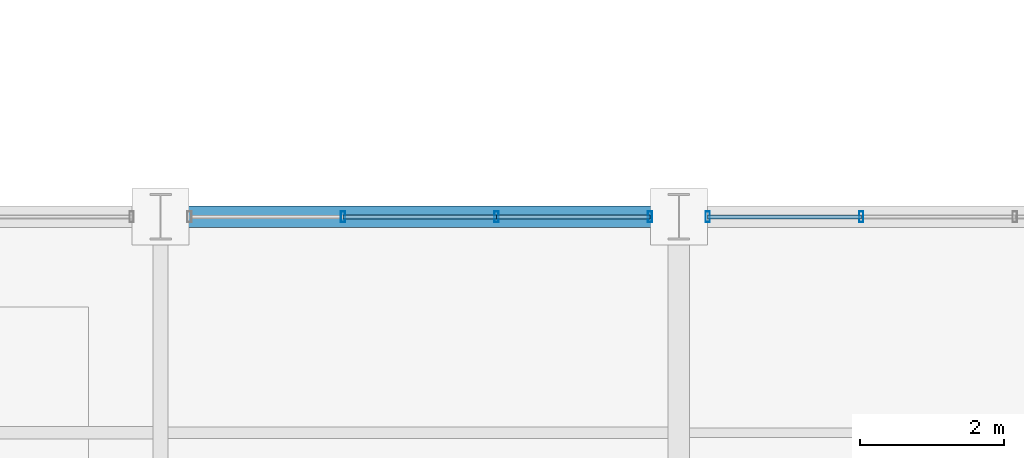
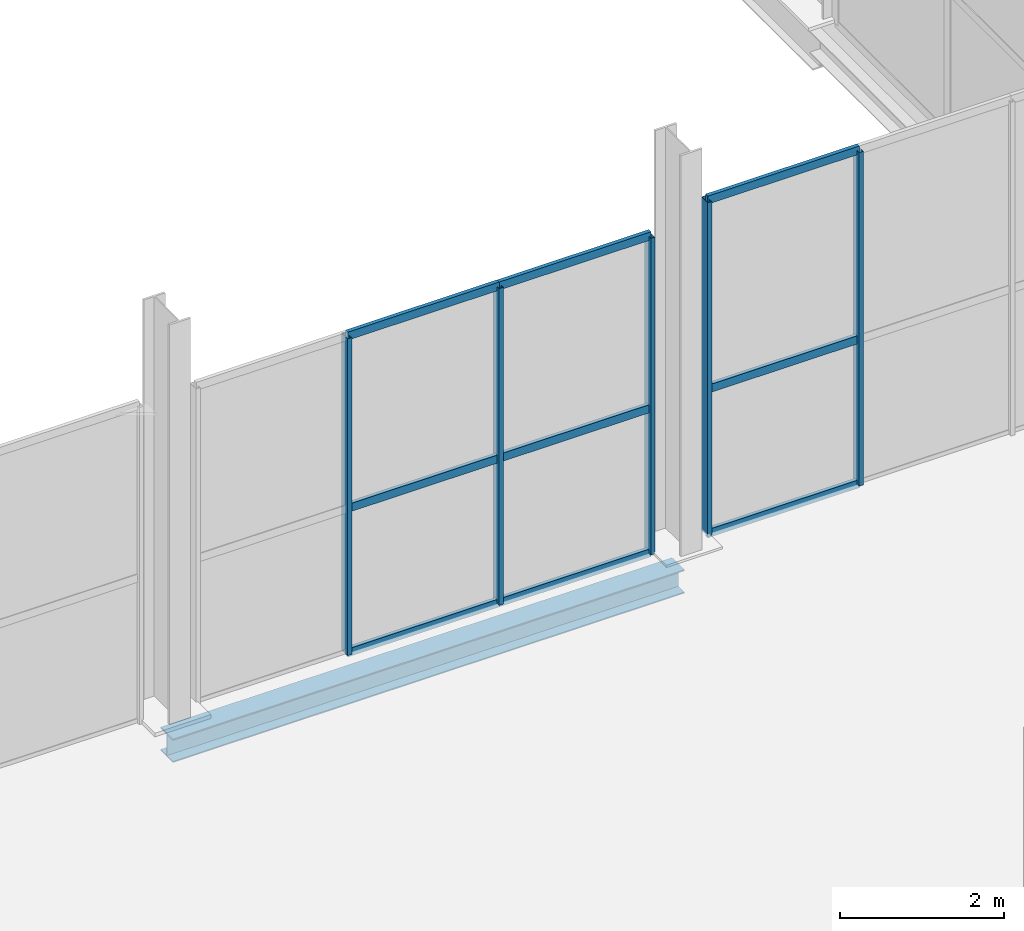
# One storey, part 88 of 144: 14 members, 1 beam, 2 elements without a shape of their own.
"""IFC4 building model written with IfcOpenShell, lengths in metres."""

from ifc_helpers import new_model, si_unit, direction, frame, origin, origin_2d, place, context, subcontext, project, spatial, hollow_rectangle, i_section, extrude, material, layer, layer_set, material_profile, profile_set, type_object, element, aggregate, save


model = new_model("IFC4")

# Units and contexts
model_context = context("Model", 3, precision=1e-05, world=origin(), true_north=direction((0.0, 1.0)))
body_context = subcontext(model_context, "Body", "Model", "MODEL_VIEW")
ifc_project = project(units=[si_unit("LENGTHUNIT", "METRE"), si_unit("AREAUNIT", "SQUARE_METRE"), si_unit("VOLUMEUNIT", "CUBIC_METRE"), si_unit("PLANEANGLEUNIT", "RADIAN"), si_unit("MASSUNIT", "GRAM", prefix="KILO")], contexts=[model_context])

# Site, building, storey
site_placement = place(None, origin())
site = spatial("IfcSite", under=ifc_project, at=site_placement, CompositionType="ELEMENT")
building_placement = place(site_placement, origin())
building = spatial("IfcBuilding", under=site, at=building_placement, Name="Sundgate Opera House", CompositionType="ELEMENT")
storey_placement = place(building_placement, origin())
storey = spatial("IfcBuildingStorey", under=building, at=storey_placement, Name="L00", CompositionType="ELEMENT", Elevation=0.0)

# Beam
ifc_material_1 = material(Name="Steel S355J2", Category="steel")
ifc_material_profile_1 = material_profile(ifc_material_1, i_section(OverallWidth=0.300048828125, OverallDepth=0.35009765625, WebThickness=0.010009765625, FlangeThickness=0.017578125, at=origin_2d()), Name="HEA 360")
ifc_profile_set_1 = profile_set([ifc_material_profile_1], Name="Steel S355J2")
beam_type = type_object("IfcBeamType", Name="BM-GR-HEA360", PredefinedType="BEAM", material=ifc_profile_set_1)
beam_placement = place(storey_placement, frame((124.199951171875, 42.0, -0.4951171875), z_axis=(1.0, 0.0, 0.0), x_axis=(0.0, 1.0, 0.0)))
element("IfcBeam", 1, at=beam_placement, inside=storey, type_object=beam_type, Name="L00 Primary E-W Girder B0422", PredefinedType="BEAM", context=body_context, shape_type="SweptSolid", body=[
    extrude(i_section(OverallWidth=0.300048828125, OverallDepth=0.35009765625, WebThickness=0.010009765625, FlangeThickness=0.017578125, at=origin_2d()), origin(), (0.0, 0.0, 1.0), 7.199951171875),
])

# Curtain wall, members
ifc_material_2 = material(Name="Anodized aluminium and low-iron glass", Category="aluminium")
ifc_layer = layer(ifc_material_2, 0.159912109375)
ifc_layer_set = layer_set([ifc_layer], Name="Anodized aluminium and low-iron glass")
curtain_wall_type = type_object("IfcCurtainWallType", Name="CW-STUDIO-DARK", PredefinedType="NOTDEFINED", material=ifc_layer_set)
curtain_wall_1_placement = place(storey_placement, origin())
curtain_wall_1 = element("IfcCurtainWall", 2, at=curtain_wall_1_placement, inside=storey, type_object=curtain_wall_type, Name="L00 Curtain Wall CW036", PredefinedType="NOTDEFINED")
ifc_material_3 = material(Name="Anodized aluminium EN AW-6063", Category="aluminium")
ifc_material_profile_2 = material_profile(ifc_material_3, hollow_rectangle(XDim=0.06005859375, YDim=0.14990234375, WallThickness=0.00390625, at=origin_2d()), Name="CWM 150x60x4")
ifc_profile_set_2 = profile_set([ifc_material_profile_2], Name="Anodized aluminium EN AW-6063")
member_type_1 = type_object("IfcMemberType", Name="CWM-ALU-150x60", PredefinedType="MULLION", material=ifc_profile_set_2)
member_1_placement = place(storey_placement, frame((126.7333984375, 42.0, 0.0), z_axis=(0.0, 0.0, 1.0), x_axis=(1.0, 0.0, 0.0)))
member_1 = element("IfcMember", 3, at=member_1_placement, type_object=member_type_1, Name="CW036 Mullion 2", PredefinedType="MULLION", context=body_context, shape_type="SweptSolid", body=[
    extrude(hollow_rectangle(XDim=0.06005859375, YDim=0.14990234375, WallThickness=0.00390625, at=origin_2d()), origin(), (0.0, 0.0, 1.0), 4.715087890625),
])
member_2_placement = place(storey_placement, frame((128.86669921875, 42.0, 0.0), z_axis=(0.0, 0.0, 1.0), x_axis=(1.0, 0.0, 0.0)))
member_2 = element("IfcMember", 4, at=member_2_placement, type_object=member_type_1, Name="CW036 Mullion 3", PredefinedType="MULLION", context=body_context, shape_type="SweptSolid", body=[
    extrude(hollow_rectangle(XDim=0.06005859375, YDim=0.14990234375, WallThickness=0.00390625, at=origin_2d()), origin(), (0.0, 0.0, 1.0), 4.715087890625),
])
member_3_placement = place(storey_placement, frame((131.0, 42.0, 0.0), z_axis=(0.0, 0.0, 1.0), x_axis=(1.0, 0.0, 0.0)))
member_3 = element("IfcMember", 5, at=member_3_placement, type_object=member_type_1, Name="CW036 Mullion 4", PredefinedType="MULLION", context=body_context, shape_type="SweptSolid", body=[
    extrude(hollow_rectangle(XDim=0.06005859375, YDim=0.14990234375, WallThickness=0.00390625, at=origin_2d()), origin(), (0.0, 0.0, 1.0), 4.715087890625),
])

curtain_wall_2_placement = place(storey_placement, origin())
curtain_wall_2 = element("IfcCurtainWall", 6, at=curtain_wall_2_placement, inside=storey, type_object=curtain_wall_type, Name="L00 Curtain Wall CW038", PredefinedType="NOTDEFINED")
member_4_placement = place(storey_placement, frame((131.800048828125, 42.0, 0.0), z_axis=(0.0, 0.0, 1.0), x_axis=(1.0, 0.0, 0.0)))
member_4 = element("IfcMember", 7, at=member_4_placement, type_object=member_type_1, Name="CW038 Mullion 1", PredefinedType="MULLION", context=body_context, shape_type="SweptSolid", body=[
    extrude(hollow_rectangle(XDim=0.06005859375, YDim=0.14990234375, WallThickness=0.00390625, at=origin_2d()), origin(), (0.0, 0.0, 1.0), 4.965087890625),
])
member_5_placement = place(storey_placement, frame((133.933349609375, 42.0, 0.0), z_axis=(0.0, 0.0, 1.0), x_axis=(1.0, 0.0, 0.0)))
member_5 = element("IfcMember", 8, at=member_5_placement, type_object=member_type_1, Name="CW038 Mullion 2", PredefinedType="MULLION", context=body_context, shape_type="SweptSolid", body=[
    extrude(hollow_rectangle(XDim=0.06005859375, YDim=0.14990234375, WallThickness=0.00390625, at=origin_2d()), origin(), (0.0, 0.0, 1.0), 4.965087890625),
])

# Member
ifc_material_4 = material(Name="Anodized aluminium EN AW-6063", Category="aluminium")
ifc_material_profile_3 = material_profile(ifc_material_4, hollow_rectangle(XDim=0.054931640625, YDim=0.1201171875, WallThickness=0.00390625, at=origin_2d()), Name="CWT 120x55x4")
ifc_profile_set_3 = profile_set([ifc_material_profile_3], Name="Anodized aluminium EN AW-6063")
member_type_2 = type_object("IfcMemberType", Name="CWT-ALU-120x55", PredefinedType="USERDEFINED", material=ifc_profile_set_3)
member_6_placement = place(storey_placement, frame((126.7333984375, 42.0, 0.0), z_axis=(1.0, 0.0, 0.0), x_axis=(0.0, 1.0, 0.0)))
member_6 = element("IfcMember", 9, at=member_6_placement, type_object=member_type_2, Name="CW036 Transom 4", ObjectType="TRANSOM", PredefinedType="USERDEFINED", context=body_context, shape_type="SweptSolid", body=[
    extrude(hollow_rectangle(XDim=0.054931640625, YDim=0.1201171875, WallThickness=0.00390625, at=origin_2d()), origin(), (0.0, 0.0, 1.0), 2.13330078125),
])

member_7_placement = place(storey_placement, frame((126.7333984375, 42.0, 2.14990234375), z_axis=(1.0, 0.0, 0.0), x_axis=(0.0, 1.0, 0.0)))
member_7 = element("IfcMember", 10, at=member_7_placement, type_object=member_type_2, Name="CW036 Transom 5", ObjectType="TRANSOM", PredefinedType="USERDEFINED", context=body_context, shape_type="SweptSolid", body=[
    extrude(hollow_rectangle(XDim=0.054931640625, YDim=0.1201171875, WallThickness=0.00390625, at=origin_2d()), origin(), (0.0, 0.0, 1.0), 2.13330078125),
])

member_8_placement = place(storey_placement, frame((126.7333984375, 42.0, 4.715087890625), z_axis=(1.0, 0.0, 0.0), x_axis=(0.0, 1.0, 0.0)))
member_8 = element("IfcMember", 11, at=member_8_placement, type_object=member_type_2, Name="CW036 Transom 6", ObjectType="TRANSOM", PredefinedType="USERDEFINED", context=body_context, shape_type="SweptSolid", body=[
    extrude(hollow_rectangle(XDim=0.054931640625, YDim=0.1201171875, WallThickness=0.00390625, at=origin_2d()), origin(), (0.0, 0.0, 1.0), 2.13330078125),
])

member_9_placement = place(storey_placement, frame((128.86669921875, 42.0, 0.0), z_axis=(1.0, 0.0, 0.0), x_axis=(0.0, 1.0, 0.0)))
member_9 = element("IfcMember", 12, at=member_9_placement, type_object=member_type_2, Name="CW036 Transom 7", ObjectType="TRANSOM", PredefinedType="USERDEFINED", context=body_context, shape_type="SweptSolid", body=[
    extrude(hollow_rectangle(XDim=0.054931640625, YDim=0.1201171875, WallThickness=0.00390625, at=origin_2d()), origin(), (0.0, 0.0, 1.0), 2.13330078125),
])

member_10_placement = place(storey_placement, frame((128.86669921875, 42.0, 2.14990234375), z_axis=(1.0, 0.0, 0.0), x_axis=(0.0, 1.0, 0.0)))
member_10 = element("IfcMember", 13, at=member_10_placement, type_object=member_type_2, Name="CW036 Transom 8", ObjectType="TRANSOM", PredefinedType="USERDEFINED", context=body_context, shape_type="SweptSolid", body=[
    extrude(hollow_rectangle(XDim=0.054931640625, YDim=0.1201171875, WallThickness=0.00390625, at=origin_2d()), origin(), (0.0, 0.0, 1.0), 2.13330078125),
])

member_11_placement = place(storey_placement, frame((128.86669921875, 42.0, 4.715087890625), z_axis=(1.0, 0.0, 0.0), x_axis=(0.0, 1.0, 0.0)))
member_11 = element("IfcMember", 14, at=member_11_placement, type_object=member_type_2, Name="CW036 Transom 9", ObjectType="TRANSOM", PredefinedType="USERDEFINED", context=body_context, shape_type="SweptSolid", body=[
    extrude(hollow_rectangle(XDim=0.054931640625, YDim=0.1201171875, WallThickness=0.00390625, at=origin_2d()), origin(), (0.0, 0.0, 1.0), 2.13330078125),
])

aggregate(curtain_wall_1, [member_1, member_2, member_3, member_6, member_7, member_8, member_9, member_10, member_11])

member_12_placement = place(storey_placement, frame((131.800048828125, 42.0, 0.0), z_axis=(1.0, 0.0, 0.0), x_axis=(0.0, 1.0, 0.0)))
member_12 = element("IfcMember", 15, at=member_12_placement, type_object=member_type_2, Name="CW038 Transom 1", ObjectType="TRANSOM", PredefinedType="USERDEFINED", context=body_context, shape_type="SweptSolid", body=[
    extrude(hollow_rectangle(XDim=0.054931640625, YDim=0.1201171875, WallThickness=0.00390625, at=origin_2d()), origin(), (0.0, 0.0, 1.0), 2.13330078125),
])

member_13_placement = place(storey_placement, frame((131.800048828125, 42.0, 2.14990234375), z_axis=(1.0, 0.0, 0.0), x_axis=(0.0, 1.0, 0.0)))
member_13 = element("IfcMember", 16, at=member_13_placement, type_object=member_type_2, Name="CW038 Transom 2", ObjectType="TRANSOM", PredefinedType="USERDEFINED", context=body_context, shape_type="SweptSolid", body=[
    extrude(hollow_rectangle(XDim=0.054931640625, YDim=0.1201171875, WallThickness=0.00390625, at=origin_2d()), origin(), (0.0, 0.0, 1.0), 2.13330078125),
])

member_14_placement = place(storey_placement, frame((131.800048828125, 42.0, 4.965087890625), z_axis=(1.0, 0.0, 0.0), x_axis=(0.0, 1.0, 0.0)))
member_14 = element("IfcMember", 17, at=member_14_placement, type_object=member_type_2, Name="CW038 Transom 3", ObjectType="TRANSOM", PredefinedType="USERDEFINED", context=body_context, shape_type="SweptSolid", body=[
    extrude(hollow_rectangle(XDim=0.054931640625, YDim=0.1201171875, WallThickness=0.00390625, at=origin_2d()), origin(), (0.0, 0.0, 1.0), 2.13330078125),
])

aggregate(curtain_wall_2, [member_4, member_5, member_12, member_13, member_14])

save(model, "model.ifc")
